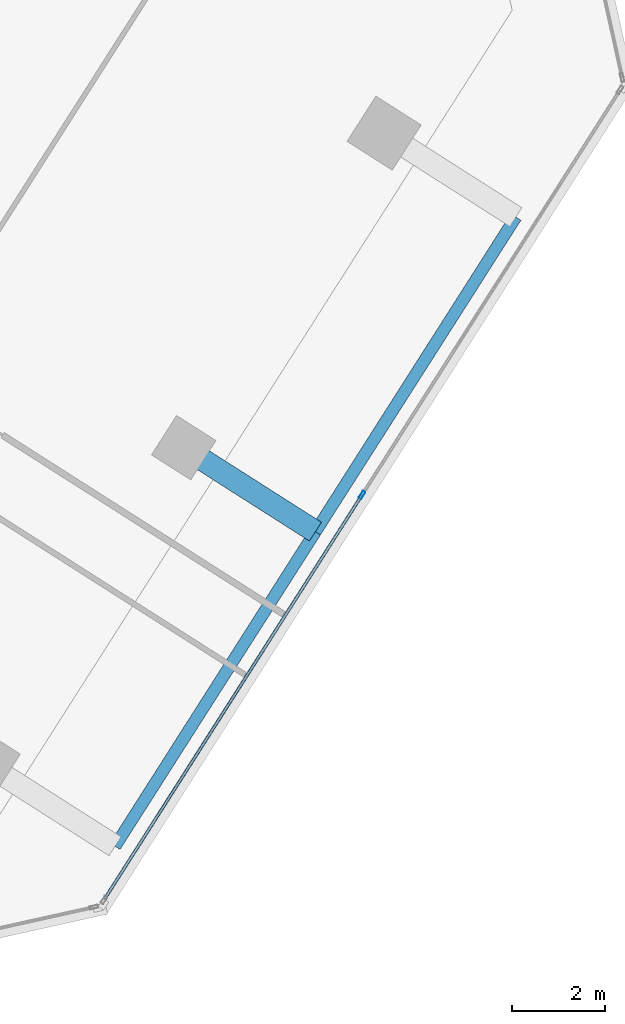
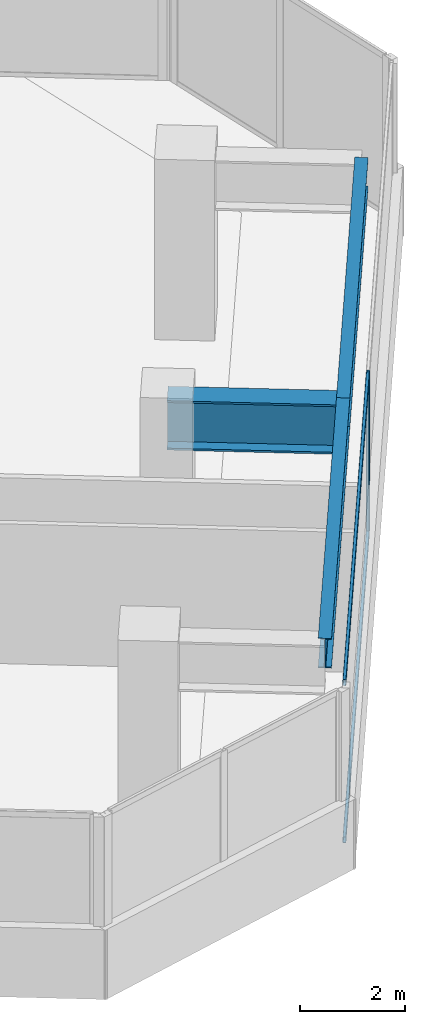
# One storey, part 8 of 23: 3 beams, 3 members, 1 element without a shape of its own.
"""IFC4 building model written with IfcOpenShell, lengths in metres."""

import ifcopenshell
import ifcopenshell.guid

model = None  # the IFC model being written
_history = None  # IfcOwnerHistory: only IFC2X3 demands one
_inside = {}  # id of a spatial element -> (the spatial element, [elements in it])
_under = {}  # id of a project, library or spatial element -> (it, [spatial elements below it])
_declared = {}  # id of a project -> (the project, [libraries it declares])
_typed = {}  # id of a type object -> (the type object, [elements of that type])
_made_of = {}  # id of a material, layer set ... -> (it, [elements and type objects made of it])


def new_model(schema):
    """Start an empty IFC model of exactly this schema.

    Asked for "IFC4X3", IfcOpenShell would pick the latest addendum, in which some entities
    have other attributes; the version numbers below select the first issue.
    IFC2X3 requires an IfcOwnerHistory on every rooted entity: one is made here for all.
    """
    global model, _history
    if schema == "IFC4X3":
        model = ifcopenshell.file(schema_version=(4, 3, 0, 0))
    else:
        model = ifcopenshell.file(schema=schema)
    _inside.clear()
    _under.clear()
    _declared.clear()
    _typed.clear()
    _made_of.clear()
    _history = None
    if model.schema == "IFC2X3":
        org = make("IfcOrganization", Name="unknown")
        user = make(
            "IfcPersonAndOrganization",
            ThePerson=make("IfcPerson", FamilyName="unknown"),
            TheOrganization=org,
        )
        app = make(
            "IfcApplication",
            ApplicationDeveloper=org,
            Version="unknown",
            ApplicationFullName="unknown",
            ApplicationIdentifier="unknown",
        )
        _history = make(
            "IfcOwnerHistory",
            OwningUser=user,
            OwningApplication=app,
            ChangeAction="ADDED",
            CreationDate=0,
        )
    return model


def make(cls, **values):
    """One entity of the class cls with the attributes given. An attribute that is None is left unset."""
    return model.create_entity(
        cls, **{name: value for name, value in values.items() if value is not None}
    )


def rooted(cls, **values):
    """An entity with a GlobalId (a new one), such as an element, a storey or a relation."""
    return make(cls, GlobalId=ifcopenshell.guid.new(), OwnerHistory=_history, **values)


def si_unit(unit_type, name, prefix=None):
    """IfcSIUnit, for example si_unit("LENGTHUNIT", "METRE", prefix="MILLI")."""
    return make("IfcSIUnit", UnitType=unit_type, Prefix=prefix, Name=name)


def assignment(units):
    """IfcUnitAssignment: the units of a project."""
    return None if units is None else make("IfcUnitAssignment", Units=units)


def point(xyz):
    """IfcCartesianPoint."""
    return None if xyz is None else make("IfcCartesianPoint", Coordinates=xyz)


def direction(xyz):
    """IfcDirection."""
    return None if xyz is None else make("IfcDirection", DirectionRatios=xyz)


def frame(location, z_axis=None, x_axis=None):
    """IfcAxis2Placement3D, a coordinate frame: its origin and axes. An axis left out is left unset."""
    return make(
        "IfcAxis2Placement3D",
        Location=point(location),
        Axis=direction(z_axis),
        RefDirection=direction(x_axis),
    )


def frame_2d(location, x_axis=None):
    """IfcAxis2Placement2D, a coordinate frame in the plane: its origin and x axis."""
    return make(
        "IfcAxis2Placement2D", Location=point(location), RefDirection=direction(x_axis)
    )


def origin():
    """The frame at (0, 0, 0) with its axes left unset."""
    return frame((0.0, 0.0, 0.0))


def origin_2d():
    """The frame at (0, 0) in the plane with its x axis left unset."""
    return frame_2d((0.0, 0.0))


def place(relative_to, where):
    """IfcLocalPlacement: puts the frame where relative to a parent placement (None: the world)."""
    return make(
        "IfcLocalPlacement", PlacementRelTo=relative_to, RelativePlacement=where
    )


def context(
    kind, dimensions, precision=None, world=None, true_north=None, identifier=None
):
    """IfcGeometricRepresentationContext, for example the 3D "Model" context."""
    return make(
        "IfcGeometricRepresentationContext",
        ContextIdentifier=identifier,
        ContextType=kind,
        CoordinateSpaceDimension=dimensions,
        Precision=precision,
        WorldCoordinateSystem=world,
        TrueNorth=true_north,
    )


def subcontext(parent, identifier, kind, view, scale=None):
    """IfcGeometricRepresentationSubContext, for example "Body" below "Model"."""
    return make(
        "IfcGeometricRepresentationSubContext",
        ContextIdentifier=identifier,
        ContextType=kind,
        ParentContext=parent,
        TargetScale=scale,
        TargetView=view,
    )


def project(units=None, contexts=None):
    """IfcProject with its units and contexts."""
    return rooted(
        "IfcProject",
        Name="project",
        RepresentationContexts=contexts,
        UnitsInContext=assignment(units),
    )


def spatial(cls, under=None, at=None, **own):
    """A site, building, storey or space (cls), placed at a placement, below another one or the project."""
    s = rooted(cls, ObjectPlacement=at, **own)
    if under is not None:
        _under.setdefault(under.id(), (under, []))[1].append(s)
    return s


def profile(cls, at=None, kind="AREA", **sizes):
    """A parametric profile (cls). Its sizes go by their IFC names, for example OverallWidth=200.0."""
    return make(cls, ProfileType=kind, Position=at, **sizes)


def hollow_rectangle(**sizes):
    """IfcRectangleHollowProfileDef."""
    return profile("IfcRectangleHollowProfileDef", **sizes)


def i_section(**sizes):
    """IfcIShapeProfileDef."""
    return profile("IfcIShapeProfileDef", **sizes)


def extrude(swept, where, along, depth):
    """IfcExtrudedAreaSolid: the profile swept, set in the frame where, extruded along a direction by depth."""
    return make(
        "IfcExtrudedAreaSolid",
        SweptArea=swept,
        Position=where,
        ExtrudedDirection=direction(along),
        Depth=depth,
    )


def shape(context_of_items, identifier, shape_type, items):
    """IfcShapeRepresentation: the items that make up one representation, for example the "Body"."""
    return make(
        "IfcShapeRepresentation",
        ContextOfItems=context_of_items,
        RepresentationIdentifier=identifier,
        RepresentationType=shape_type,
        Items=items,
    )


def source(mapping_origin, context_of_items, identifier, shape_type, items):
    """IfcRepresentationMap: a shape defined once, which mapped items show again and again."""
    return make(
        "IfcRepresentationMap",
        MappingOrigin=mapping_origin,
        MappedRepresentation=shape(context_of_items, identifier, shape_type, items),
    )


def transform(
    local_origin,
    x_axis=None,
    y_axis=None,
    z_axis=None,
    scale=None,
    scale2=None,
    scale3=None,
    uniform=True,
):
    """IfcCartesianTransformationOperator3D, or its non-uniform kind. x_axis, y_axis, z_axis: its Axis1, 2, 3."""
    if uniform:
        return make(
            "IfcCartesianTransformationOperator3D",
            Axis1=direction(x_axis),
            Axis2=direction(y_axis),
            LocalOrigin=point(local_origin),
            Scale=scale,
            Axis3=direction(z_axis),
        )
    return make(
        "IfcCartesianTransformationOperator3DnonUniform",
        Axis1=direction(x_axis),
        Axis2=direction(y_axis),
        LocalOrigin=point(local_origin),
        Scale=scale,
        Axis3=direction(z_axis),
        Scale2=scale2,
        Scale3=scale3,
    )


def mapped(mapping_source, mapping_target):
    """IfcMappedItem: shows the shape of a source again, moved by a transform."""
    return make(
        "IfcMappedItem", MappingSource=mapping_source, MappingTarget=mapping_target
    )


def material(Name=None, Category=None):
    """IfcMaterial."""
    return make("IfcMaterial", Name=Name, Category=Category)


def material_profile(
    of_material, cross_section, Name=None, Category=None, Priority=None
):
    """IfcMaterialProfile: a cross section and its material."""
    return make(
        "IfcMaterialProfile",
        Name=Name,
        Material=of_material,
        Profile=cross_section,
        Priority=Priority,
        Category=Category,
    )


def profile_set(profiles, Name=None, composite=None):
    """IfcMaterialProfileSet."""
    return make(
        "IfcMaterialProfileSet",
        Name=Name,
        MaterialProfiles=profiles,
        CompositeProfile=composite,
    )


def made_of(thing, what):
    """Note that an element or type object is made of a material, layer set ...; save() writes the relation."""
    if what is not None:
        _made_of.setdefault(what.id(), (what, []))[1].append(thing)
    return thing


def type_object(cls, material=None, **own):
    """A type object (cls), such as IfcWallType, which elements share."""
    return made_of(rooted(cls, **own), material)


def element(
    cls,
    number,
    at=None,
    inside=None,
    cuts=None,
    type_object=None,
    material=None,
    context=None,
    identifier="Body",
    shape_type=None,
    held_by="IfcProductDefinitionShape",
    body=None,
    shapes=None,
    **own,
):
    """One element of the class cls, such as IfcWall. Its Tag is "e" and its number.

    at: its placement. inside: the storey or other place that contains it. cuts: it is an
    opening in that element (IfcRelVoidsElement). A single representation is given by context,
    identifier, shape_type and body (its items); several are given by shapes. held_by: the class
    of the entity that holds the representations. save() writes the other relations.
    """
    e = rooted(cls, Tag="e%d" % number, ObjectPlacement=at, **own)
    if body is not None:
        shapes = [shape(context, identifier, shape_type, body)]
    if shapes is not None:
        e.Representation = make(held_by, Representations=shapes)
    if inside is not None:
        _inside.setdefault(inside.id(), (inside, []))[1].append(e)
    if cuts is not None:
        rooted(
            "IfcRelVoidsElement", RelatingBuildingElement=cuts, RelatedOpeningElement=e
        )
    if type_object is not None:
        _typed.setdefault(type_object.id(), (type_object, []))[1].append(e)
    return made_of(e, material)


def aggregate(whole, parts):
    """IfcRelAggregates: a whole, such as a stair, and the parts it consists of."""
    return rooted("IfcRelAggregates", RelatingObject=whole, RelatedObjects=parts)


def save(model, path):
    """Write the relations noted so far, then the file.

    IfcRelAggregates (storeys below a building ...), IfcRelContainedInSpatialStructure (elements
    in a storey), IfcRelDefinesByType, IfcRelAssociatesMaterial and IfcRelDeclares: one each for
    every whole, place, type object, material and project.
    """
    for whole, parts in _under.values():
        aggregate(whole, parts)
    for where, things in _inside.values():
        rooted(
            "IfcRelContainedInSpatialStructure",
            RelatedElements=things,
            RelatingStructure=where,
        )
    for kind, things in _typed.values():
        rooted("IfcRelDefinesByType", RelatedObjects=things, RelatingType=kind)
    for what, things in _made_of.values():
        rooted("IfcRelAssociatesMaterial", RelatedObjects=things, RelatingMaterial=what)
    for by, libraries in _declared.values():
        rooted("IfcRelDeclares", RelatingContext=by, RelatedDefinitions=libraries)
    model.write(path)


model = new_model("IFC4")

# Units and contexts
model_context = context("Model", 3, precision=1e-05, world=origin(), true_north=direction((0.0, 1.0)))
body_context = subcontext(model_context, "Body", "Model", "MODEL_VIEW")
ifc_project = project(units=[si_unit("LENGTHUNIT", "METRE"), si_unit("AREAUNIT", "SQUARE_METRE"), si_unit("VOLUMEUNIT", "CUBIC_METRE"), si_unit("PLANEANGLEUNIT", "RADIAN"), si_unit("MASSUNIT", "GRAM", prefix="KILO")], contexts=[model_context])

# Site, building, storey
site_placement = place(None, origin())
site = spatial("IfcSite", under=ifc_project, at=site_placement, CompositionType="ELEMENT")
building_placement = place(site_placement, origin())
building = spatial("IfcBuilding", under=site, at=building_placement, Name="Torre Montelarca", CompositionType="ELEMENT")
storey_placement = place(building_placement, frame((0.0, 0.0, 187.60009765625)))
storey = spatial("IfcBuildingStorey", under=building, at=storey_placement, Name="L42", CompositionType="ELEMENT", Elevation=187.60009765625)

# Beams
ifc_material_1 = material(Name="Steel ASTM A572 Grade 50", Category="steel")
ifc_material_profile_1 = material_profile(ifc_material_1, i_section(OverallWidth=0.47998046875, OverallDepth=1.14990234375, WebThickness=0.02197265625, FlangeThickness=0.044921875, at=origin_2d()), Name="PG1150X480X22X45", Category="steel")
ifc_profile_set_1 = profile_set([ifc_material_profile_1], Name="Steel ASTM A572 Grade 50")
beam_type_1 = type_object("IfcBeamType", Name="BM-CG-PG1400-EXT", PredefinedType="USERDEFINED", material=ifc_profile_set_1)
shared_shape_1 = source(origin(), body_context, "Body", "SweptSolid", [
    extrude(i_section(OverallWidth=0.47998046875, OverallDepth=1.14990234375, WebThickness=0.02197265625, FlangeThickness=0.044921875, at=origin_2d()), origin(), (0.0, 0.0, 1.0), 3.35009765625),
])
beam_placement = place(storey_placement, frame((43.849853515625, 17.76171875, 3.385009765625), z_axis=(0.843385307587, -0.537309243311, 0.0), x_axis=(0.537309243311, 0.843385307587, 0.0)))
element("IfcBeam", 1, at=beam_placement, inside=storey, type_object=beam_type_1, Name="L42 Sliding Tray Cantilever Girder East Y=32m (FLR)", ObjectType="CANTILEVER GIRDER", PredefinedType="USERDEFINED", context=body_context, shape_type="MappedRepresentation", body=[
    mapped(shared_shape_1, transform((0.0, 0.0, 0.0), scale=1.0)),
])
ifc_material_2 = material(Name="Steel ASTM A992 Grade 50", Category="steel")
ifc_material_profile_2 = material_profile(ifc_material_2, i_section(OverallWidth=0.256103515625, OverallDepth=0.693115234375, WebThickness=0.014404296875, FlangeThickness=0.023681640625, FilletRadius=0.01806640625, at=origin_2d()), Name="W690X170", Category="steel")
ifc_profile_set_2 = profile_set([ifc_material_profile_2], Name="Steel ASTM A992 Grade 50")
beam_type_2 = type_object("IfcBeamType", Name="BM-G-W690-EXT", PredefinedType="BEAM", material=ifc_profile_set_2)
shared_shape_2 = source(origin(), body_context, "Body", "SweptSolid", [
    extrude(i_section(OverallWidth=0.256103515625, OverallDepth=0.693115234375, WebThickness=0.014404296875, FlangeThickness=0.023681640625, FilletRadius=0.01806640625, at=origin_2d()), origin(), (0.0, 0.0, 1.0), 8.0),
])
for number, where, z_axis, x_axis, name in (
    (2, (42.376708984375, 9.214599609375, 3.614013671875), (0.537319715065, 0.843378636084, 0.0), (-0.843378636084, 0.537319715065, 0.0), "L42 Sliding Tray Edge Girder East 24-32m (FLR)"),
    (3, (46.67529296875, 15.961669921875, 3.614013671875), (0.537298007891, 0.843392465414, 0.0), (-0.843392465414, 0.537298007891, 0.0), "L42 Sliding Tray Edge Girder East 32-40m (FLR)"),
):
    element("IfcBeam", number, at=place(storey_placement, frame(where, z_axis=z_axis, x_axis=x_axis)), inside=storey, type_object=beam_type_2, Name=name, PredefinedType="BEAM", context=body_context, shape_type="MappedRepresentation", body=[
        mapped(shared_shape_2, transform((0.0, 0.0, 0.0), scale=1.0)),
    ])

# Curtain wall, members
ifc_material_3 = material(Name="Insulated low-E laminated glass", Category="glass")
curtain_wall_type = type_object("IfcCurtainWallType", Name="CW-SYS-Z2", PredefinedType="USERDEFINED", material=ifc_material_3)
curtain_wall_placement = place(storey_placement, origin())
curtain_wall = element("IfcCurtainWall", 4, at=curtain_wall_placement, inside=storey, type_object=curtain_wall_type, Name="L42 Curtain Wall Run CW-T3-L42-E06-B1", ObjectType="UNITISED GLAZING", PredefinedType="USERDEFINED")
ifc_material_4 = material(Name="Anodised aluminium AA 6063-T6", Category="aluminium")
ifc_material_profile_3 = material_profile(ifc_material_4, hollow_rectangle(XDim=0.06494140625, YDim=0.139892578125, WallThickness=0.00390625, InnerFilletRadius=0.00390625, OuterFilletRadius=0.008056640625, at=origin_2d()), Name="ALU65X140X4", Category="aluminium")
ifc_profile_set_3 = profile_set([ifc_material_profile_3], Name="Anodised aluminium AA 6063-T6")
member_type_1 = type_object("IfcMemberType", Name="CWT-ALU140", PredefinedType="USERDEFINED", material=ifc_profile_set_3)
shared_shape_3 = source(origin(), body_context, "Body", "SweptSolid", [
    extrude(hollow_rectangle(XDim=0.06494140625, YDim=0.139892578125, WallThickness=0.00390625, InnerFilletRadius=0.00390625, OuterFilletRadius=0.008056640625, at=origin_2d()), origin(), (0.0, 0.0, 1.0), 10.23681640625),
])
member_1_placement = place(storey_placement, frame((42.156494140625, 8.087158203125, 0.032470703125), z_axis=(0.537304432437, 0.843388372509, 0.0), x_axis=(-0.843388372509, 0.537304432437, 0.0)))
member_1 = element("IfcMember", 5, at=member_1_placement, type_object=member_type_1, Name="CW transom 1.1", ObjectType="TRANSOM", PredefinedType="USERDEFINED", context=body_context, shape_type="MappedRepresentation", body=[
    mapped(shared_shape_3, transform((0.0, 0.0, 0.0), scale=1.0)),
])
member_2_placement = place(storey_placement, frame((42.156494140625, 8.087158203125, 3.6875), z_axis=(0.537304432437, 0.843388372509, 0.0), x_axis=(-0.843388372509, 0.537304432437, 0.0)))
member_2 = element("IfcMember", 6, at=member_2_placement, type_object=member_type_1, Name="CW transom 1.2", ObjectType="TRANSOM", PredefinedType="USERDEFINED", context=body_context, shape_type="MappedRepresentation", body=[
    mapped(shared_shape_3, transform((0.0, 0.0, 0.0), scale=1.0)),
])
ifc_material_profile_4 = material_profile(ifc_material_4, hollow_rectangle(XDim=0.06494140625, YDim=0.179931640625, WallThickness=0.00390625, InnerFilletRadius=0.00390625, OuterFilletRadius=0.008056640625, at=origin_2d()), Name="ALU65X180X4", Category="aluminium")
ifc_profile_set_4 = profile_set([ifc_material_profile_4], Name="Anodised aluminium AA 6063-T6")
member_type_2 = type_object("IfcMemberType", Name="CWM-ALU180", PredefinedType="MULLION", material=ifc_profile_set_4)
shared_shape_4 = source(origin(), body_context, "Body", "SweptSolid", [
    extrude(hollow_rectangle(XDim=0.06494140625, YDim=0.179931640625, WallThickness=0.00390625, InnerFilletRadius=0.00390625, OuterFilletRadius=0.008056640625, at=origin_2d()), origin(), (0.0, 0.0, 1.0), 3.719970703125),
])
member_3_placement = place(storey_placement, frame((47.67431640625, 16.748046875, 0.0), z_axis=(0.0, 0.0, 1.0), x_axis=(-0.843389039566, 0.53730338538, 0.0)))
member_3 = element("IfcMember", 7, at=member_3_placement, type_object=member_type_2, Name="CW mullion 2", PredefinedType="MULLION", context=body_context, shape_type="MappedRepresentation", body=[
    mapped(shared_shape_4, transform((0.0, 0.0, 0.0), scale=1.0)),
])
aggregate(curtain_wall, [member_3, member_1, member_2])

save(model, "model.ifc")
